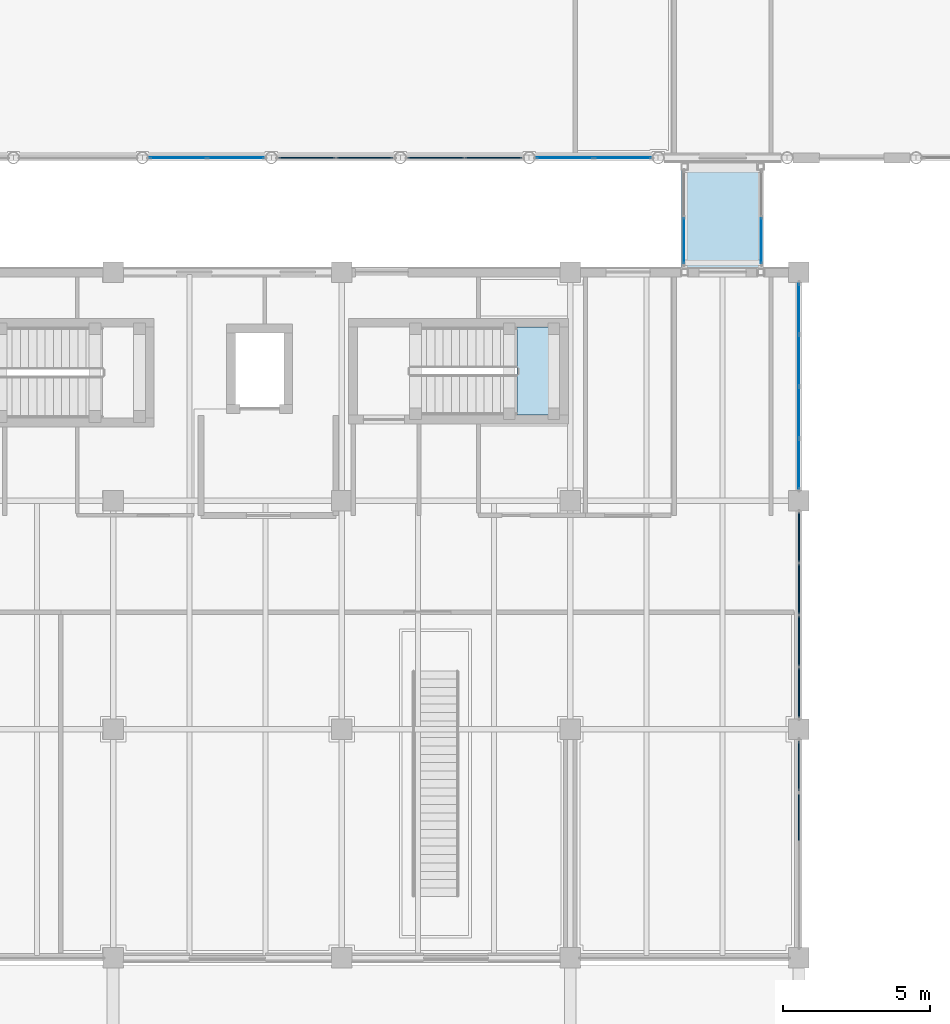
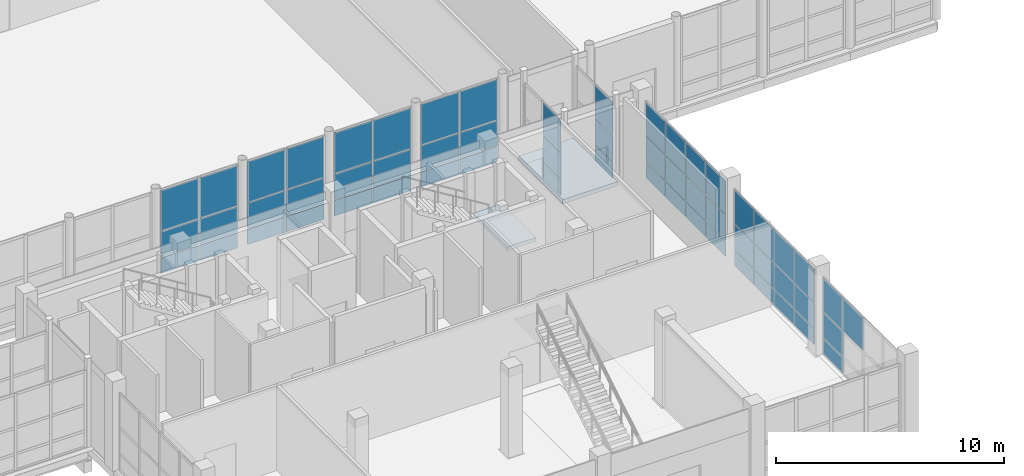
# One storey, part 74 of 131: 58 plates, 2 slabs, 10 elements without a shape of their own.
"""IFC4 building model written with IfcOpenShell, lengths in metres."""

import ifcopenshell
import ifcopenshell.guid

model = None  # the IFC model being written
_history = None  # IfcOwnerHistory: only IFC2X3 demands one
_inside = {}  # id of a spatial element -> (the spatial element, [elements in it])
_under = {}  # id of a project, library or spatial element -> (it, [spatial elements below it])
_declared = {}  # id of a project -> (the project, [libraries it declares])
_typed = {}  # id of a type object -> (the type object, [elements of that type])
_made_of = {}  # id of a material, layer set ... -> (it, [elements and type objects made of it])


def new_model(schema):
    """Start an empty IFC model of exactly this schema.

    Asked for "IFC4X3", IfcOpenShell would pick the latest addendum, in which some entities
    have other attributes; the version numbers below select the first issue.
    IFC2X3 requires an IfcOwnerHistory on every rooted entity: one is made here for all.
    """
    global model, _history
    if schema == "IFC4X3":
        model = ifcopenshell.file(schema_version=(4, 3, 0, 0))
    else:
        model = ifcopenshell.file(schema=schema)
    _inside.clear()
    _under.clear()
    _declared.clear()
    _typed.clear()
    _made_of.clear()
    _history = None
    if model.schema == "IFC2X3":
        org = make("IfcOrganization", Name="unknown")
        user = make(
            "IfcPersonAndOrganization",
            ThePerson=make("IfcPerson", FamilyName="unknown"),
            TheOrganization=org,
        )
        app = make(
            "IfcApplication",
            ApplicationDeveloper=org,
            Version="unknown",
            ApplicationFullName="unknown",
            ApplicationIdentifier="unknown",
        )
        _history = make(
            "IfcOwnerHistory",
            OwningUser=user,
            OwningApplication=app,
            ChangeAction="ADDED",
            CreationDate=0,
        )
    return model


def make(cls, **values):
    """One entity of the class cls with the attributes given. An attribute that is None is left unset."""
    return model.create_entity(
        cls, **{name: value for name, value in values.items() if value is not None}
    )


def rooted(cls, **values):
    """An entity with a GlobalId (a new one), such as an element, a storey or a relation."""
    return make(cls, GlobalId=ifcopenshell.guid.new(), OwnerHistory=_history, **values)


def si_unit(unit_type, name, prefix=None):
    """IfcSIUnit, for example si_unit("LENGTHUNIT", "METRE", prefix="MILLI")."""
    return make("IfcSIUnit", UnitType=unit_type, Prefix=prefix, Name=name)


def assignment(units):
    """IfcUnitAssignment: the units of a project."""
    return None if units is None else make("IfcUnitAssignment", Units=units)


def point(xyz):
    """IfcCartesianPoint."""
    return None if xyz is None else make("IfcCartesianPoint", Coordinates=xyz)


def direction(xyz):
    """IfcDirection."""
    return None if xyz is None else make("IfcDirection", DirectionRatios=xyz)


def frame(location, z_axis=None, x_axis=None):
    """IfcAxis2Placement3D, a coordinate frame: its origin and axes. An axis left out is left unset."""
    return make(
        "IfcAxis2Placement3D",
        Location=point(location),
        Axis=direction(z_axis),
        RefDirection=direction(x_axis),
    )


def frame_2d(location, x_axis=None):
    """IfcAxis2Placement2D, a coordinate frame in the plane: its origin and x axis."""
    return make(
        "IfcAxis2Placement2D", Location=point(location), RefDirection=direction(x_axis)
    )


def origin():
    """The frame at (0, 0, 0) with its axes left unset."""
    return frame((0.0, 0.0, 0.0))


def origin_2d():
    """The frame at (0, 0) in the plane with its x axis left unset."""
    return frame_2d((0.0, 0.0))


def place(relative_to, where):
    """IfcLocalPlacement: puts the frame where relative to a parent placement (None: the world)."""
    return make(
        "IfcLocalPlacement", PlacementRelTo=relative_to, RelativePlacement=where
    )


def context(
    kind, dimensions, precision=None, world=None, true_north=None, identifier=None
):
    """IfcGeometricRepresentationContext, for example the 3D "Model" context."""
    return make(
        "IfcGeometricRepresentationContext",
        ContextIdentifier=identifier,
        ContextType=kind,
        CoordinateSpaceDimension=dimensions,
        Precision=precision,
        WorldCoordinateSystem=world,
        TrueNorth=true_north,
    )


def subcontext(parent, identifier, kind, view, scale=None):
    """IfcGeometricRepresentationSubContext, for example "Body" below "Model"."""
    return make(
        "IfcGeometricRepresentationSubContext",
        ContextIdentifier=identifier,
        ContextType=kind,
        ParentContext=parent,
        TargetScale=scale,
        TargetView=view,
    )


def project(units=None, contexts=None):
    """IfcProject with its units and contexts."""
    return rooted(
        "IfcProject",
        Name="project",
        RepresentationContexts=contexts,
        UnitsInContext=assignment(units),
    )


def spatial(cls, under=None, at=None, **own):
    """A site, building, storey or space (cls), placed at a placement, below another one or the project."""
    s = rooted(cls, ObjectPlacement=at, **own)
    if under is not None:
        _under.setdefault(under.id(), (under, []))[1].append(s)
    return s


def polyline(points):
    """IfcPolyline through the points."""
    return make("IfcPolyline", Points=[point(p) for p in points])


def profile(cls, at=None, kind="AREA", **sizes):
    """A parametric profile (cls). Its sizes go by their IFC names, for example OverallWidth=200.0."""
    return make(cls, ProfileType=kind, Position=at, **sizes)


def rectangle(**sizes):
    """IfcRectangleProfileDef."""
    return profile("IfcRectangleProfileDef", **sizes)


def outline(outer, holes=None, kind="AREA"):
    """IfcArbitraryClosedProfileDef: a profile drawn as a closed curve; with holes, ...WithVoids."""
    if holes is None:
        return make("IfcArbitraryClosedProfileDef", ProfileType=kind, OuterCurve=outer)
    return make(
        "IfcArbitraryProfileDefWithVoids",
        ProfileType=kind,
        OuterCurve=outer,
        InnerCurves=holes,
    )


def extrude(swept, where, along, depth):
    """IfcExtrudedAreaSolid: the profile swept, set in the frame where, extruded along a direction by depth."""
    return make(
        "IfcExtrudedAreaSolid",
        SweptArea=swept,
        Position=where,
        ExtrudedDirection=direction(along),
        Depth=depth,
    )


def shape(context_of_items, identifier, shape_type, items):
    """IfcShapeRepresentation: the items that make up one representation, for example the "Body"."""
    return make(
        "IfcShapeRepresentation",
        ContextOfItems=context_of_items,
        RepresentationIdentifier=identifier,
        RepresentationType=shape_type,
        Items=items,
    )


def material(Name=None, Category=None):
    """IfcMaterial."""
    return make("IfcMaterial", Name=Name, Category=Category)


def layer(
    of_material, thickness, ventilated=None, Name=None, Category=None, Priority=None
):
    """IfcMaterialLayer: one layer of a wall or slab, of a material (None: an air gap)."""
    return make(
        "IfcMaterialLayer",
        Material=of_material,
        LayerThickness=thickness,
        IsVentilated=ventilated,
        Name=Name,
        Category=Category,
        Priority=Priority,
    )


def layer_set(layers, Name=None):
    """IfcMaterialLayerSet."""
    return make("IfcMaterialLayerSet", MaterialLayers=layers, LayerSetName=Name)


def made_of(thing, what):
    """Note that an element or type object is made of a material, layer set ...; save() writes the relation."""
    if what is not None:
        _made_of.setdefault(what.id(), (what, []))[1].append(thing)
    return thing


def type_object(cls, material=None, **own):
    """A type object (cls), such as IfcWallType, which elements share."""
    return made_of(rooted(cls, **own), material)


def element(
    cls,
    number,
    at=None,
    inside=None,
    cuts=None,
    type_object=None,
    material=None,
    context=None,
    identifier="Body",
    shape_type=None,
    held_by="IfcProductDefinitionShape",
    body=None,
    shapes=None,
    **own,
):
    """One element of the class cls, such as IfcWall. Its Tag is "e" and its number.

    at: its placement. inside: the storey or other place that contains it. cuts: it is an
    opening in that element (IfcRelVoidsElement). A single representation is given by context,
    identifier, shape_type and body (its items); several are given by shapes. held_by: the class
    of the entity that holds the representations. save() writes the other relations.
    """
    e = rooted(cls, Tag="e%d" % number, ObjectPlacement=at, **own)
    if body is not None:
        shapes = [shape(context, identifier, shape_type, body)]
    if shapes is not None:
        e.Representation = make(held_by, Representations=shapes)
    if inside is not None:
        _inside.setdefault(inside.id(), (inside, []))[1].append(e)
    if cuts is not None:
        rooted(
            "IfcRelVoidsElement", RelatingBuildingElement=cuts, RelatedOpeningElement=e
        )
    if type_object is not None:
        _typed.setdefault(type_object.id(), (type_object, []))[1].append(e)
    return made_of(e, material)


def aggregate(whole, parts):
    """IfcRelAggregates: a whole, such as a stair, and the parts it consists of."""
    return rooted("IfcRelAggregates", RelatingObject=whole, RelatedObjects=parts)


def save(model, path):
    """Write the relations noted so far, then the file.

    IfcRelAggregates (storeys below a building ...), IfcRelContainedInSpatialStructure (elements
    in a storey), IfcRelDefinesByType, IfcRelAssociatesMaterial and IfcRelDeclares: one each for
    every whole, place, type object, material and project.
    """
    for whole, parts in _under.values():
        aggregate(whole, parts)
    for where, things in _inside.values():
        rooted(
            "IfcRelContainedInSpatialStructure",
            RelatedElements=things,
            RelatingStructure=where,
        )
    for kind, things in _typed.values():
        rooted("IfcRelDefinesByType", RelatedObjects=things, RelatingType=kind)
    for what, things in _made_of.values():
        rooted("IfcRelAssociatesMaterial", RelatedObjects=things, RelatingMaterial=what)
    for by, libraries in _declared.values():
        rooted("IfcRelDeclares", RelatingContext=by, RelatedDefinitions=libraries)
    model.write(path)


model = new_model("IFC4")

# Units and contexts
model_context = context("Model", 3, precision=1e-05, world=origin(), true_north=direction((0.0, 1.0)))
body_context = subcontext(model_context, "Body", "Model", "MODEL_VIEW")
ifc_project = project(units=[si_unit("LENGTHUNIT", "METRE"), si_unit("AREAUNIT", "SQUARE_METRE"), si_unit("VOLUMEUNIT", "CUBIC_METRE"), si_unit("PLANEANGLEUNIT", "RADIAN"), si_unit("MASSUNIT", "GRAM", prefix="KILO")], contexts=[model_context])

# Site, building, storey
site_placement = place(None, origin())
site = spatial("IfcSite", under=ifc_project, at=site_placement, CompositionType="ELEMENT")
building_placement = place(site_placement, origin())
building = spatial("IfcBuilding", under=site, at=building_placement, Name="Celorna Specialist Clinic", CompositionType="ELEMENT")
storey_placement = place(building_placement, origin())
storey = spatial("IfcBuildingStorey", under=building, at=storey_placement, Name="L00", CompositionType="ELEMENT", Elevation=0.0)

# Curtain wall, plates
ifc_material_1 = material(Name="Thermally broken aluminium and solar-control glass curtain wall", Category="aluminium")
ifc_layer_1 = layer(ifc_material_1, 0.159912109375, Name="Thermally broken aluminium and solar-control glass curtain wall")
ifc_layer_set_1 = layer_set([ifc_layer_1], Name="Thermally broken aluminium and solar-control glass curtain wall")
curtain_wall_type_1 = type_object("IfcCurtainWallType", Name="CW-03", PredefinedType="NOTDEFINED", material=ifc_layer_set_1)
curtain_wall_1_placement = place(storey_placement, origin())
curtain_wall_1 = element("IfcCurtainWall", 1, at=curtain_wall_1_placement, inside=storey, type_object=curtain_wall_type_1, Name="Curtain wall CW-03 #3", PredefinedType="NOTDEFINED")
ifc_material_2 = material(Name="Low-e double glazing", Category="glass")
ifc_layer_2 = layer(ifc_material_2, 0.028076171875, Name="Low-e double glazing")
ifc_layer_set_2 = layer_set([ifc_layer_2], Name="Low-e double glazing")
plate_type_1 = type_object("IfcPlateType", Name="CPN-01", PredefinedType="CURTAIN_PANEL", material=ifc_layer_set_2)
plate_1_placement = place(storey_placement, frame((66.583984375, 46.800048828125, 0.0498046875), z_axis=(0.0, 0.0, 1.0), x_axis=(-1.0, 0.0, 0.0)))
plate_1 = element("IfcPlate", 2, at=plate_1_placement, type_object=plate_type_1, Name="CW-03 panel 1.1", PredefinedType="CURTAIN_PANEL", context=body_context, shape_type="SweptSolid", body=[
    extrude(rectangle(XDim=1.917724609375, YDim=0.028076171875, at=origin_2d()), origin(), (0.0, 0.0, 1.0), 0.824951171875),
])
plate_2_placement = place(storey_placement, frame((66.583984375, 46.800048828125, 0.925048828125), z_axis=(0.0, 0.0, 1.0), x_axis=(-1.0, 0.0, 0.0)))
plate_2 = element("IfcPlate", 3, at=plate_2_placement, type_object=plate_type_1, Name="CW-03 panel 1.2", PredefinedType="CURTAIN_PANEL", context=body_context, shape_type="SweptSolid", body=[
    extrude(rectangle(XDim=1.917724609375, YDim=0.028076171875, at=origin_2d()), origin(), (0.0, 0.0, 1.0), 1.35009765625),
])
plate_3_placement = place(storey_placement, frame((66.583984375, 46.800048828125, 2.324951171875), z_axis=(0.0, 0.0, 1.0), x_axis=(-1.0, 0.0, 0.0)))
plate_3 = element("IfcPlate", 4, at=plate_3_placement, type_object=plate_type_1, Name="CW-03 panel 1.3", PredefinedType="CURTAIN_PANEL", context=body_context, shape_type="SweptSolid", body=[
    extrude(rectangle(XDim=1.917724609375, YDim=0.028076171875, at=origin_2d()), origin(), (0.0, 0.0, 1.0), 2.1650390625),
])
plate_4_placement = place(storey_placement, frame((64.6162109375, 46.800048828125, 0.0498046875), z_axis=(0.0, 0.0, 1.0), x_axis=(-1.0, 0.0, 0.0)))
plate_4 = element("IfcPlate", 5, at=plate_4_placement, type_object=plate_type_1, Name="CW-03 panel 2.1", PredefinedType="CURTAIN_PANEL", context=body_context, shape_type="SweptSolid", body=[
    extrude(rectangle(XDim=1.917724609375, YDim=0.028076171875, at=origin_2d()), origin(), (0.0, 0.0, 1.0), 0.824951171875),
])
plate_5_placement = place(storey_placement, frame((64.6162109375, 46.800048828125, 0.925048828125), z_axis=(0.0, 0.0, 1.0), x_axis=(-1.0, 0.0, 0.0)))
plate_5 = element("IfcPlate", 6, at=plate_5_placement, type_object=plate_type_1, Name="CW-03 panel 2.2", PredefinedType="CURTAIN_PANEL", context=body_context, shape_type="SweptSolid", body=[
    extrude(rectangle(XDim=1.917724609375, YDim=0.028076171875, at=origin_2d()), origin(), (0.0, 0.0, 1.0), 1.35009765625),
])
plate_6_placement = place(storey_placement, frame((64.6162109375, 46.800048828125, 2.324951171875), z_axis=(0.0, 0.0, 1.0), x_axis=(-1.0, 0.0, 0.0)))
plate_6 = element("IfcPlate", 7, at=plate_6_placement, type_object=plate_type_1, Name="CW-03 panel 2.3", PredefinedType="CURTAIN_PANEL", context=body_context, shape_type="SweptSolid", body=[
    extrude(rectangle(XDim=1.917724609375, YDim=0.028076171875, at=origin_2d()), origin(), (0.0, 0.0, 1.0), 2.1650390625),
])
aggregate(curtain_wall_1, [plate_1, plate_2, plate_3, plate_4, plate_5, plate_6])

curtain_wall_2_placement = place(storey_placement, origin())
curtain_wall_2 = element("IfcCurtainWall", 8, at=curtain_wall_2_placement, inside=storey, type_object=curtain_wall_type_1, Name="Curtain wall CW-03 #6", PredefinedType="NOTDEFINED")
plate_7_placement = place(storey_placement, frame((79.783935546875, 46.800048828125, 0.0498046875), z_axis=(0.0, 0.0, 1.0), x_axis=(-1.0, 0.0, 0.0)))
plate_7 = element("IfcPlate", 9, at=plate_7_placement, type_object=plate_type_1, Name="CW-03 panel 1.1", PredefinedType="CURTAIN_PANEL", context=body_context, shape_type="SweptSolid", body=[
    extrude(rectangle(XDim=1.917724609375, YDim=0.028076171875, at=origin_2d()), origin(), (0.0, 0.0, 1.0), 0.824951171875),
])
plate_8_placement = place(storey_placement, frame((79.783935546875, 46.800048828125, 0.925048828125), z_axis=(0.0, 0.0, 1.0), x_axis=(-1.0, 0.0, 0.0)))
plate_8 = element("IfcPlate", 10, at=plate_8_placement, type_object=plate_type_1, Name="CW-03 panel 1.2", PredefinedType="CURTAIN_PANEL", context=body_context, shape_type="SweptSolid", body=[
    extrude(rectangle(XDim=1.917724609375, YDim=0.028076171875, at=origin_2d()), origin(), (0.0, 0.0, 1.0), 1.35009765625),
])
plate_9_placement = place(storey_placement, frame((79.783935546875, 46.800048828125, 2.324951171875), z_axis=(0.0, 0.0, 1.0), x_axis=(-1.0, 0.0, 0.0)))
plate_9 = element("IfcPlate", 11, at=plate_9_placement, type_object=plate_type_1, Name="CW-03 panel 1.3", PredefinedType="CURTAIN_PANEL", context=body_context, shape_type="SweptSolid", body=[
    extrude(rectangle(XDim=1.917724609375, YDim=0.028076171875, at=origin_2d()), origin(), (0.0, 0.0, 1.0), 2.1650390625),
])
plate_10_placement = place(storey_placement, frame((77.816162109375, 46.800048828125, 0.0498046875), z_axis=(0.0, 0.0, 1.0), x_axis=(-1.0, 0.0, 0.0)))
plate_10 = element("IfcPlate", 12, at=plate_10_placement, type_object=plate_type_1, Name="CW-03 panel 2.1", PredefinedType="CURTAIN_PANEL", context=body_context, shape_type="SweptSolid", body=[
    extrude(rectangle(XDim=1.917724609375, YDim=0.028076171875, at=origin_2d()), origin(), (0.0, 0.0, 1.0), 0.824951171875),
])
plate_11_placement = place(storey_placement, frame((77.816162109375, 46.800048828125, 0.925048828125), z_axis=(0.0, 0.0, 1.0), x_axis=(-1.0, 0.0, 0.0)))
plate_11 = element("IfcPlate", 13, at=plate_11_placement, type_object=plate_type_1, Name="CW-03 panel 2.2", PredefinedType="CURTAIN_PANEL", context=body_context, shape_type="SweptSolid", body=[
    extrude(rectangle(XDim=1.917724609375, YDim=0.028076171875, at=origin_2d()), origin(), (0.0, 0.0, 1.0), 1.35009765625),
])
plate_12_placement = place(storey_placement, frame((77.816162109375, 46.800048828125, 2.324951171875), z_axis=(0.0, 0.0, 1.0), x_axis=(-1.0, 0.0, 0.0)))
plate_12 = element("IfcPlate", 14, at=plate_12_placement, type_object=plate_type_1, Name="CW-03 panel 2.3", PredefinedType="CURTAIN_PANEL", context=body_context, shape_type="SweptSolid", body=[
    extrude(rectangle(XDim=1.917724609375, YDim=0.028076171875, at=origin_2d()), origin(), (0.0, 0.0, 1.0), 2.1650390625),
])
aggregate(curtain_wall_2, [plate_7, plate_8, plate_9, plate_10, plate_11, plate_12])

ifc_layer_3 = layer(ifc_material_1, 0.159912109375, Name="Thermally broken aluminium and solar-control glass curtain wall")
ifc_layer_set_3 = layer_set([ifc_layer_3], Name="Thermally broken aluminium and solar-control glass curtain wall")
curtain_wall_type_2 = type_object("IfcCurtainWallType", Name="CW-104", PredefinedType="NOTDEFINED", material=ifc_layer_set_3)
curtain_wall_3_placement = place(storey_placement, origin())
curtain_wall_3 = element("IfcCurtainWall", 15, at=curtain_wall_3_placement, inside=storey, type_object=curtain_wall_type_2, Name="Curtain wall CW-104 #185", PredefinedType="NOTDEFINED")
plate_13_placement = place(storey_placement, frame((85.800048828125, 41.64697265625, 0.0498046875), z_axis=(0.0, 0.0, 1.0), x_axis=(0.0, -1.0, 0.0)))
plate_13 = element("IfcPlate", 16, at=plate_13_placement, type_object=plate_type_1, Name="CW-104 panel 1.1", PredefinedType="CURTAIN_PANEL", context=body_context, shape_type="SweptSolid", body=[
    extrude(rectangle(XDim=1.697998046875, YDim=0.028076171875, at=origin_2d()), origin(), (0.0, 0.0, 1.0), 0.824951171875),
])
plate_14_placement = place(storey_placement, frame((85.800048828125, 41.64697265625, 0.925048828125), z_axis=(0.0, 0.0, 1.0), x_axis=(0.0, -1.0, 0.0)))
plate_14 = element("IfcPlate", 17, at=plate_14_placement, type_object=plate_type_1, Name="CW-104 panel 1.2", PredefinedType="CURTAIN_PANEL", context=body_context, shape_type="SweptSolid", body=[
    extrude(rectangle(XDim=1.697998046875, YDim=0.028076171875, at=origin_2d()), origin(), (0.0, 0.0, 1.0), 1.35009765625),
])
plate_15_placement = place(storey_placement, frame((85.800048828125, 41.64697265625, 2.3251953125), z_axis=(0.0, 0.0, 1.0), x_axis=(0.0, -1.0, 0.0)))
plate_15 = element("IfcPlate", 18, at=plate_15_placement, type_object=plate_type_1, Name="CW-104 panel 1.3", PredefinedType="CURTAIN_PANEL", context=body_context, shape_type="SweptSolid", body=[
    extrude(rectangle(XDim=1.697998046875, YDim=0.028076171875, at=origin_2d()), origin(), (0.0, 0.0, 1.0), 1.764892578125),
])
plate_16_placement = place(storey_placement, frame((85.800048828125, 39.886474609375, 0.0498046875), z_axis=(0.0, 0.0, 1.0), x_axis=(0.0, -1.0, 0.0)))
plate_16 = element("IfcPlate", 19, at=plate_16_placement, type_object=plate_type_1, Name="CW-104 panel 2.1", PredefinedType="CURTAIN_PANEL", context=body_context, shape_type="SweptSolid", body=[
    extrude(rectangle(XDim=1.722900390625, YDim=0.028076171875, at=origin_2d()), origin(), (0.0, 0.0, 1.0), 0.824951171875),
])
plate_17_placement = place(storey_placement, frame((85.800048828125, 39.886474609375, 0.925048828125), z_axis=(0.0, 0.0, 1.0), x_axis=(0.0, -1.0, 0.0)))
plate_17 = element("IfcPlate", 20, at=plate_17_placement, type_object=plate_type_1, Name="CW-104 panel 2.2", PredefinedType="CURTAIN_PANEL", context=body_context, shape_type="SweptSolid", body=[
    extrude(rectangle(XDim=1.722900390625, YDim=0.028076171875, at=origin_2d()), origin(), (0.0, 0.0, 1.0), 1.35009765625),
])
plate_18_placement = place(storey_placement, frame((85.800048828125, 39.886474609375, 2.3251953125), z_axis=(0.0, 0.0, 1.0), x_axis=(0.0, -1.0, 0.0)))
plate_18 = element("IfcPlate", 21, at=plate_18_placement, type_object=plate_type_1, Name="CW-104 panel 2.3", PredefinedType="CURTAIN_PANEL", context=body_context, shape_type="SweptSolid", body=[
    extrude(rectangle(XDim=1.722900390625, YDim=0.028076171875, at=origin_2d()), origin(), (0.0, 0.0, 1.0), 1.764892578125),
])
plate_19_placement = place(storey_placement, frame((85.800048828125, 38.113525390625, 0.0498046875), z_axis=(0.0, 0.0, 1.0), x_axis=(0.0, -1.0, 0.0)))
plate_19 = element("IfcPlate", 22, at=plate_19_placement, type_object=plate_type_1, Name="CW-104 panel 3.1", PredefinedType="CURTAIN_PANEL", context=body_context, shape_type="SweptSolid", body=[
    extrude(rectangle(XDim=1.722900390625, YDim=0.028076171875, at=origin_2d()), origin(), (0.0, 0.0, 1.0), 0.824951171875),
])
plate_20_placement = place(storey_placement, frame((85.800048828125, 38.113525390625, 0.925048828125), z_axis=(0.0, 0.0, 1.0), x_axis=(0.0, -1.0, 0.0)))
plate_20 = element("IfcPlate", 23, at=plate_20_placement, type_object=plate_type_1, Name="CW-104 panel 3.2", PredefinedType="CURTAIN_PANEL", context=body_context, shape_type="SweptSolid", body=[
    extrude(rectangle(XDim=1.722900390625, YDim=0.028076171875, at=origin_2d()), origin(), (0.0, 0.0, 1.0), 1.35009765625),
])
plate_21_placement = place(storey_placement, frame((85.800048828125, 38.113525390625, 2.3251953125), z_axis=(0.0, 0.0, 1.0), x_axis=(0.0, -1.0, 0.0)))
plate_21 = element("IfcPlate", 24, at=plate_21_placement, type_object=plate_type_1, Name="CW-104 panel 3.3", PredefinedType="CURTAIN_PANEL", context=body_context, shape_type="SweptSolid", body=[
    extrude(rectangle(XDim=1.722900390625, YDim=0.028076171875, at=origin_2d()), origin(), (0.0, 0.0, 1.0), 1.764892578125),
])
plate_22_placement = place(storey_placement, frame((85.800048828125, 36.35302734375, 0.0498046875), z_axis=(0.0, 0.0, 1.0), x_axis=(0.0, -1.0, 0.0)))
plate_22 = element("IfcPlate", 25, at=plate_22_placement, type_object=plate_type_1, Name="CW-104 panel 4.1", PredefinedType="CURTAIN_PANEL", context=body_context, shape_type="SweptSolid", body=[
    extrude(rectangle(XDim=1.697998046875, YDim=0.028076171875, at=origin_2d()), origin(), (0.0, 0.0, 1.0), 0.824951171875),
])
plate_23_placement = place(storey_placement, frame((85.800048828125, 36.35302734375, 0.925048828125), z_axis=(0.0, 0.0, 1.0), x_axis=(0.0, -1.0, 0.0)))
plate_23 = element("IfcPlate", 26, at=plate_23_placement, type_object=plate_type_1, Name="CW-104 panel 4.2", PredefinedType="CURTAIN_PANEL", context=body_context, shape_type="SweptSolid", body=[
    extrude(rectangle(XDim=1.697998046875, YDim=0.028076171875, at=origin_2d()), origin(), (0.0, 0.0, 1.0), 1.35009765625),
])
plate_24_placement = place(storey_placement, frame((85.800048828125, 36.35302734375, 2.3251953125), z_axis=(0.0, 0.0, 1.0), x_axis=(0.0, -1.0, 0.0)))
plate_24 = element("IfcPlate", 27, at=plate_24_placement, type_object=plate_type_1, Name="CW-104 panel 4.3", PredefinedType="CURTAIN_PANEL", context=body_context, shape_type="SweptSolid", body=[
    extrude(rectangle(XDim=1.697998046875, YDim=0.028076171875, at=origin_2d()), origin(), (0.0, 0.0, 1.0), 1.764892578125),
])
aggregate(curtain_wall_3, [plate_13, plate_14, plate_15, plate_16, plate_17, plate_18, plate_19, plate_20, plate_21, plate_22, plate_23, plate_24])

ifc_layer_4 = layer(ifc_material_1, 0.159912109375, Name="Thermally broken aluminium and solar-control glass curtain wall")
ifc_layer_set_4 = layer_set([ifc_layer_4], Name="Thermally broken aluminium and solar-control glass curtain wall")
curtain_wall_type_3 = type_object("IfcCurtainWallType", Name="CW-112", PredefinedType="NOTDEFINED", material=ifc_layer_set_4)
curtain_wall_4_placement = place(storey_placement, origin())
curtain_wall_4 = element("IfcCurtainWall", 28, at=curtain_wall_4_placement, inside=storey, type_object=curtain_wall_type_3, Name="Curtain wall CW-112 #204", PredefinedType="NOTDEFINED")
plate_25_placement = place(storey_placement, frame((81.8798828125, 43.969970703125, 0.0498046875), z_axis=(0.0, 0.0, 1.0), x_axis=(0.0, 1.0, 0.0)))
plate_25 = element("IfcPlate", 29, at=plate_25_placement, type_object=plate_type_1, Name="CW-112 panel 1.1", PredefinedType="CURTAIN_PANEL", context=body_context, shape_type="SweptSolid", body=[
    extrude(rectangle(XDim=1.5400390625, YDim=0.028076171875, at=origin_2d()), origin(), (0.0, 0.0, 1.0), 0.824951171875),
])
plate_26_placement = place(storey_placement, frame((81.8798828125, 43.969970703125, 0.925048828125), z_axis=(0.0, 0.0, 1.0), x_axis=(0.0, 1.0, 0.0)))
plate_26 = element("IfcPlate", 30, at=plate_26_placement, type_object=plate_type_1, Name="CW-112 panel 1.2", PredefinedType="CURTAIN_PANEL", context=body_context, shape_type="SweptSolid", body=[
    extrude(rectangle(XDim=1.5400390625, YDim=0.028076171875, at=origin_2d()), origin(), (0.0, 0.0, 1.0), 1.35009765625),
])
plate_27_placement = place(storey_placement, frame((81.8798828125, 43.969970703125, 2.324951171875), z_axis=(0.0, 0.0, 1.0), x_axis=(0.0, 1.0, 0.0)))
plate_27 = element("IfcPlate", 31, at=plate_27_placement, type_object=plate_type_1, Name="CW-112 panel 1.3", PredefinedType="CURTAIN_PANEL", context=body_context, shape_type="SweptSolid", body=[
    extrude(rectangle(XDim=1.5400390625, YDim=0.028076171875, at=origin_2d()), origin(), (0.0, 0.0, 1.0), 1.7548828125),
])
aggregate(curtain_wall_4, [plate_25, plate_26, plate_27])

curtain_wall_5_placement = place(storey_placement, origin())
curtain_wall_5 = element("IfcCurtainWall", 32, at=curtain_wall_5_placement, inside=storey, type_object=curtain_wall_type_3, Name="Curtain wall CW-112 #205", PredefinedType="NOTDEFINED")
plate_28_placement = place(storey_placement, frame((84.52001953125, 43.969970703125, 0.0498046875), z_axis=(0.0, 0.0, 1.0), x_axis=(0.0, -1.0, 0.0)))
plate_28 = element("IfcPlate", 33, at=plate_28_placement, type_object=plate_type_1, Name="CW-112 panel 2.1", PredefinedType="CURTAIN_PANEL", context=body_context, shape_type="SweptSolid", body=[
    extrude(rectangle(XDim=1.5400390625, YDim=0.028076171875, at=origin_2d()), origin(), (0.0, 0.0, 1.0), 0.824951171875),
])
plate_29_placement = place(storey_placement, frame((84.52001953125, 43.969970703125, 0.925048828125), z_axis=(0.0, 0.0, 1.0), x_axis=(0.0, -1.0, 0.0)))
plate_29 = element("IfcPlate", 34, at=plate_29_placement, type_object=plate_type_1, Name="CW-112 panel 2.2", PredefinedType="CURTAIN_PANEL", context=body_context, shape_type="SweptSolid", body=[
    extrude(rectangle(XDim=1.5400390625, YDim=0.028076171875, at=origin_2d()), origin(), (0.0, 0.0, 1.0), 1.35009765625),
])
plate_30_placement = place(storey_placement, frame((84.52001953125, 43.969970703125, 2.324951171875), z_axis=(0.0, 0.0, 1.0), x_axis=(0.0, -1.0, 0.0)))
plate_30 = element("IfcPlate", 35, at=plate_30_placement, type_object=plate_type_1, Name="CW-112 panel 2.3", PredefinedType="CURTAIN_PANEL", context=body_context, shape_type="SweptSolid", body=[
    extrude(rectangle(XDim=1.5400390625, YDim=0.028076171875, at=origin_2d()), origin(), (0.0, 0.0, 1.0), 1.7548828125),
])
aggregate(curtain_wall_5, [plate_28, plate_29, plate_30])

ifc_layer_5 = layer(ifc_material_1, 0.159912109375, Name="Thermally broken aluminium and solar-control glass curtain wall")
ifc_layer_set_5 = layer_set([ifc_layer_5], Name="Thermally broken aluminium and solar-control glass curtain wall")
curtain_wall_type_4 = type_object("IfcCurtainWallType", Name="CW-01", PredefinedType="NOTDEFINED", material=ifc_layer_set_5)
curtain_wall_6_placement = place(storey_placement, origin())
curtain_wall_6 = element("IfcCurtainWall", 36, at=curtain_wall_6_placement, inside=storey, type_object=curtain_wall_type_4, Name="Curtain wall CW-01 #4", PredefinedType="NOTDEFINED")
ifc_material_3 = material(Name="Solar-control triple glazing", Category="glass")
ifc_layer_6 = layer(ifc_material_3, 0.035888671875, Name="Solar-control triple glazing")
ifc_layer_set_6 = layer_set([ifc_layer_6], Name="Solar-control triple glazing")
plate_type_2 = type_object("IfcPlateType", Name="CPN-02", PredefinedType="CURTAIN_PANEL", material=ifc_layer_set_6)
plate_31_placement = place(storey_placement, frame((70.98388671875, 46.800048828125, 0.0498046875), z_axis=(0.0, 0.0, 1.0), x_axis=(-1.0, 0.0, 0.0)))
plate_31 = element("IfcPlate", 37, at=plate_31_placement, type_object=plate_type_2, Name="CW-01 panel 1.1", PredefinedType="CURTAIN_PANEL", context=body_context, shape_type="SweptSolid", body=[
    extrude(rectangle(XDim=1.917724609375, YDim=0.035888671875, at=origin_2d()), origin(), (0.0, 0.0, 1.0), 0.824951171875),
])
plate_32_placement = place(storey_placement, frame((70.98388671875, 46.800048828125, 0.925048828125), z_axis=(0.0, 0.0, 1.0), x_axis=(-1.0, 0.0, 0.0)))
plate_32 = element("IfcPlate", 38, at=plate_32_placement, type_object=plate_type_2, Name="CW-01 panel 1.2", PredefinedType="CURTAIN_PANEL", context=body_context, shape_type="SweptSolid", body=[
    extrude(rectangle(XDim=1.917724609375, YDim=0.035888671875, at=origin_2d()), origin(), (0.0, 0.0, 1.0), 1.35009765625),
])
plate_33_placement = place(storey_placement, frame((70.98388671875, 46.800048828125, 2.324951171875), z_axis=(0.0, 0.0, 1.0), x_axis=(-1.0, 0.0, 0.0)))
plate_33 = element("IfcPlate", 39, at=plate_33_placement, type_object=plate_type_2, Name="CW-01 panel 1.3", PredefinedType="CURTAIN_PANEL", context=body_context, shape_type="SweptSolid", body=[
    extrude(rectangle(XDim=1.917724609375, YDim=0.035888671875, at=origin_2d()), origin(), (0.0, 0.0, 1.0), 2.1650390625),
])
plate_34_placement = place(storey_placement, frame((69.01611328125, 46.800048828125, 0.0498046875), z_axis=(0.0, 0.0, 1.0), x_axis=(-1.0, 0.0, 0.0)))
plate_34 = element("IfcPlate", 40, at=plate_34_placement, type_object=plate_type_2, Name="CW-01 panel 2.1", PredefinedType="CURTAIN_PANEL", context=body_context, shape_type="SweptSolid", body=[
    extrude(rectangle(XDim=1.917724609375, YDim=0.035888671875, at=origin_2d()), origin(), (0.0, 0.0, 1.0), 0.824951171875),
])
plate_35_placement = place(storey_placement, frame((69.01611328125, 46.800048828125, 0.925048828125), z_axis=(0.0, 0.0, 1.0), x_axis=(-1.0, 0.0, 0.0)))
plate_35 = element("IfcPlate", 41, at=plate_35_placement, type_object=plate_type_2, Name="CW-01 panel 2.2", PredefinedType="CURTAIN_PANEL", context=body_context, shape_type="SweptSolid", body=[
    extrude(rectangle(XDim=1.917724609375, YDim=0.035888671875, at=origin_2d()), origin(), (0.0, 0.0, 1.0), 1.35009765625),
])
plate_36_placement = place(storey_placement, frame((69.01611328125, 46.800048828125, 2.324951171875), z_axis=(0.0, 0.0, 1.0), x_axis=(-1.0, 0.0, 0.0)))
plate_36 = element("IfcPlate", 42, at=plate_36_placement, type_object=plate_type_2, Name="CW-01 panel 2.3", PredefinedType="CURTAIN_PANEL", context=body_context, shape_type="SweptSolid", body=[
    extrude(rectangle(XDim=1.917724609375, YDim=0.035888671875, at=origin_2d()), origin(), (0.0, 0.0, 1.0), 2.1650390625),
])
aggregate(curtain_wall_6, [plate_31, plate_32, plate_33, plate_34, plate_35, plate_36])

ifc_layer_7 = layer(ifc_material_1, 0.159912109375, Name="Thermally broken aluminium and solar-control glass curtain wall")
ifc_layer_set_7 = layer_set([ifc_layer_7], Name="Thermally broken aluminium and solar-control glass curtain wall")
curtain_wall_type_5 = type_object("IfcCurtainWallType", Name="CW-102", PredefinedType="NOTDEFINED", material=ifc_layer_set_7)
curtain_wall_7_placement = place(storey_placement, origin())
curtain_wall_7 = element("IfcCurtainWall", 43, at=curtain_wall_7_placement, inside=storey, type_object=curtain_wall_type_5, Name="Curtain wall CW-102 #183", PredefinedType="NOTDEFINED")
plate_37_placement = place(storey_placement, frame((85.800048828125, 26.047119140625, 0.0498046875), z_axis=(0.0, 0.0, 1.0), x_axis=(0.0, -1.0, 0.0)))
plate_37 = element("IfcPlate", 44, at=plate_37_placement, type_object=plate_type_2, Name="CW-102 panel 1.1", PredefinedType="CURTAIN_PANEL", context=body_context, shape_type="SweptSolid", body=[
    extrude(rectangle(XDim=1.697998046875, YDim=0.035888671875, at=origin_2d()), origin(), (0.0, 0.0, 1.0), 0.824951171875),
])
plate_38_placement = place(storey_placement, frame((85.800048828125, 26.047119140625, 0.925048828125), z_axis=(0.0, 0.0, 1.0), x_axis=(0.0, -1.0, 0.0)))
plate_38 = element("IfcPlate", 45, at=plate_38_placement, type_object=plate_type_2, Name="CW-102 panel 1.2", PredefinedType="CURTAIN_PANEL", context=body_context, shape_type="SweptSolid", body=[
    extrude(rectangle(XDim=1.697998046875, YDim=0.035888671875, at=origin_2d()), origin(), (0.0, 0.0, 1.0), 1.35009765625),
])
plate_39_placement = place(storey_placement, frame((85.800048828125, 26.047119140625, 2.3251953125), z_axis=(0.0, 0.0, 1.0), x_axis=(0.0, -1.0, 0.0)))
plate_39 = element("IfcPlate", 46, at=plate_39_placement, type_object=plate_type_2, Name="CW-102 panel 1.3", PredefinedType="CURTAIN_PANEL", context=body_context, shape_type="SweptSolid", body=[
    extrude(rectangle(XDim=1.697998046875, YDim=0.035888671875, at=origin_2d()), origin(), (0.0, 0.0, 1.0), 1.764892578125),
])
plate_40_placement = place(storey_placement, frame((85.800048828125, 24.28662109375, 2.3251953125), z_axis=(0.0, 0.0, 1.0), x_axis=(0.0, -1.0, 0.0)))
plate_40 = element("IfcPlate", 47, at=plate_40_placement, type_object=plate_type_2, Name="CW-102 panel 2.3", PredefinedType="CURTAIN_PANEL", context=body_context, shape_type="SweptSolid", body=[
    extrude(rectangle(XDim=1.722900390625, YDim=0.035888671875, at=origin_2d()), origin(), (0.0, 0.0, 1.0), 1.764892578125),
])
aggregate(curtain_wall_7, [plate_37, plate_38, plate_39, plate_40])

ifc_layer_8 = layer(ifc_material_1, 0.159912109375, Name="Thermally broken aluminium and solar-control glass curtain wall")
ifc_layer_set_8 = layer_set([ifc_layer_8], Name="Thermally broken aluminium and solar-control glass curtain wall")
curtain_wall_type_6 = type_object("IfcCurtainWallType", Name="CW-02", PredefinedType="NOTDEFINED", material=ifc_layer_set_8)
curtain_wall_8_placement = place(storey_placement, origin())
curtain_wall_8 = element("IfcCurtainWall", 48, at=curtain_wall_8_placement, inside=storey, type_object=curtain_wall_type_6, Name="Curtain wall CW-02 #5", PredefinedType="NOTDEFINED")
ifc_material_4 = material(Name="Glazed polychrome ceramic insulated spandrel")
ifc_layer_9 = layer(ifc_material_4, 0.0439453125, Name="Glazed polychrome ceramic insulated spandrel")
ifc_layer_set_9 = layer_set([ifc_layer_9], Name="Glazed polychrome ceramic insulated spandrel")
plate_type_3 = type_object("IfcPlateType", Name="CPN-03", PredefinedType="CURTAIN_PANEL", material=ifc_layer_set_9)
plate_41_placement = place(storey_placement, frame((75.3837890625, 46.800048828125, 0.0498046875), z_axis=(0.0, 0.0, 1.0), x_axis=(-1.0, 0.0, 0.0)))
plate_41 = element("IfcPlate", 49, at=plate_41_placement, type_object=plate_type_3, Name="CW-02 panel 1.1", PredefinedType="CURTAIN_PANEL", context=body_context, shape_type="SweptSolid", body=[
    extrude(rectangle(XDim=1.917724609375, YDim=0.0439453125, at=origin_2d()), origin(), (0.0, 0.0, 1.0), 0.824951171875),
])
plate_42_placement = place(storey_placement, frame((75.3837890625, 46.800048828125, 0.925048828125), z_axis=(0.0, 0.0, 1.0), x_axis=(-1.0, 0.0, 0.0)))
plate_42 = element("IfcPlate", 50, at=plate_42_placement, type_object=plate_type_3, Name="CW-02 panel 1.2", PredefinedType="CURTAIN_PANEL", context=body_context, shape_type="SweptSolid", body=[
    extrude(rectangle(XDim=1.917724609375, YDim=0.0439453125, at=origin_2d()), origin(), (0.0, 0.0, 1.0), 1.35009765625),
])
plate_43_placement = place(storey_placement, frame((75.3837890625, 46.800048828125, 2.324951171875), z_axis=(0.0, 0.0, 1.0), x_axis=(-1.0, 0.0, 0.0)))
plate_43 = element("IfcPlate", 51, at=plate_43_placement, type_object=plate_type_3, Name="CW-02 panel 1.3", PredefinedType="CURTAIN_PANEL", context=body_context, shape_type="SweptSolid", body=[
    extrude(rectangle(XDim=1.917724609375, YDim=0.0439453125, at=origin_2d()), origin(), (0.0, 0.0, 1.0), 2.1650390625),
])
plate_44_placement = place(storey_placement, frame((73.416015625, 46.800048828125, 0.0498046875), z_axis=(0.0, 0.0, 1.0), x_axis=(-1.0, 0.0, 0.0)))
plate_44 = element("IfcPlate", 52, at=plate_44_placement, type_object=plate_type_3, Name="CW-02 panel 2.1", PredefinedType="CURTAIN_PANEL", context=body_context, shape_type="SweptSolid", body=[
    extrude(rectangle(XDim=1.917724609375, YDim=0.0439453125, at=origin_2d()), origin(), (0.0, 0.0, 1.0), 0.824951171875),
])
plate_45_placement = place(storey_placement, frame((73.416015625, 46.800048828125, 0.925048828125), z_axis=(0.0, 0.0, 1.0), x_axis=(-1.0, 0.0, 0.0)))
plate_45 = element("IfcPlate", 53, at=plate_45_placement, type_object=plate_type_3, Name="CW-02 panel 2.2", PredefinedType="CURTAIN_PANEL", context=body_context, shape_type="SweptSolid", body=[
    extrude(rectangle(XDim=1.917724609375, YDim=0.0439453125, at=origin_2d()), origin(), (0.0, 0.0, 1.0), 1.35009765625),
])
plate_46_placement = place(storey_placement, frame((73.416015625, 46.800048828125, 2.324951171875), z_axis=(0.0, 0.0, 1.0), x_axis=(-1.0, 0.0, 0.0)))
plate_46 = element("IfcPlate", 54, at=plate_46_placement, type_object=plate_type_3, Name="CW-02 panel 2.3", PredefinedType="CURTAIN_PANEL", context=body_context, shape_type="SweptSolid", body=[
    extrude(rectangle(XDim=1.917724609375, YDim=0.0439453125, at=origin_2d()), origin(), (0.0, 0.0, 1.0), 2.1650390625),
])
aggregate(curtain_wall_8, [plate_41, plate_42, plate_43, plate_44, plate_45, plate_46])

ifc_layer_10 = layer(ifc_material_1, 0.159912109375, Name="Thermally broken aluminium and solar-control glass curtain wall")
ifc_layer_set_10 = layer_set([ifc_layer_10], Name="Thermally broken aluminium and solar-control glass curtain wall")
curtain_wall_type_7 = type_object("IfcCurtainWallType", Name="CW-103", PredefinedType="NOTDEFINED", material=ifc_layer_set_10)
curtain_wall_9_placement = place(storey_placement, origin())
curtain_wall_9 = element("IfcCurtainWall", 55, at=curtain_wall_9_placement, inside=storey, type_object=curtain_wall_type_7, Name="Curtain wall CW-103 #184", PredefinedType="NOTDEFINED")
plate_47_placement = place(storey_placement, frame((85.800048828125, 33.846923828125, 0.0498046875), z_axis=(0.0, 0.0, 1.0), x_axis=(0.0, -1.0, 0.0)))
plate_47 = element("IfcPlate", 56, at=plate_47_placement, type_object=plate_type_3, Name="CW-103 panel 1.1", PredefinedType="CURTAIN_PANEL", context=body_context, shape_type="SweptSolid", body=[
    extrude(rectangle(XDim=1.697998046875, YDim=0.0439453125, at=origin_2d()), origin(), (0.0, 0.0, 1.0), 0.824951171875),
])
plate_48_placement = place(storey_placement, frame((85.800048828125, 33.846923828125, 0.925048828125), z_axis=(0.0, 0.0, 1.0), x_axis=(0.0, -1.0, 0.0)))
plate_48 = element("IfcPlate", 57, at=plate_48_placement, type_object=plate_type_3, Name="CW-103 panel 1.2", PredefinedType="CURTAIN_PANEL", context=body_context, shape_type="SweptSolid", body=[
    extrude(rectangle(XDim=1.697998046875, YDim=0.0439453125, at=origin_2d()), origin(), (0.0, 0.0, 1.0), 1.35009765625),
])
plate_49_placement = place(storey_placement, frame((85.800048828125, 33.846923828125, 2.3251953125), z_axis=(0.0, 0.0, 1.0), x_axis=(0.0, -1.0, 0.0)))
plate_49 = element("IfcPlate", 58, at=plate_49_placement, type_object=plate_type_3, Name="CW-103 panel 1.3", PredefinedType="CURTAIN_PANEL", context=body_context, shape_type="SweptSolid", body=[
    extrude(rectangle(XDim=1.697998046875, YDim=0.0439453125, at=origin_2d()), origin(), (0.0, 0.0, 1.0), 1.764892578125),
])
plate_50_placement = place(storey_placement, frame((85.800048828125, 32.08642578125, 0.0498046875), z_axis=(0.0, 0.0, 1.0), x_axis=(0.0, -1.0, 0.0)))
plate_50 = element("IfcPlate", 59, at=plate_50_placement, type_object=plate_type_3, Name="CW-103 panel 2.1", PredefinedType="CURTAIN_PANEL", context=body_context, shape_type="SweptSolid", body=[
    extrude(rectangle(XDim=1.722900390625, YDim=0.0439453125, at=origin_2d()), origin(), (0.0, 0.0, 1.0), 0.824951171875),
])
plate_51_placement = place(storey_placement, frame((85.800048828125, 32.08642578125, 0.925048828125), z_axis=(0.0, 0.0, 1.0), x_axis=(0.0, -1.0, 0.0)))
plate_51 = element("IfcPlate", 60, at=plate_51_placement, type_object=plate_type_3, Name="CW-103 panel 2.2", PredefinedType="CURTAIN_PANEL", context=body_context, shape_type="SweptSolid", body=[
    extrude(rectangle(XDim=1.722900390625, YDim=0.0439453125, at=origin_2d()), origin(), (0.0, 0.0, 1.0), 1.35009765625),
])
plate_52_placement = place(storey_placement, frame((85.800048828125, 32.08642578125, 2.3251953125), z_axis=(0.0, 0.0, 1.0), x_axis=(0.0, -1.0, 0.0)))
plate_52 = element("IfcPlate", 61, at=plate_52_placement, type_object=plate_type_3, Name="CW-103 panel 2.3", PredefinedType="CURTAIN_PANEL", context=body_context, shape_type="SweptSolid", body=[
    extrude(rectangle(XDim=1.722900390625, YDim=0.0439453125, at=origin_2d()), origin(), (0.0, 0.0, 1.0), 1.764892578125),
])
plate_53_placement = place(storey_placement, frame((85.800048828125, 30.3134765625, 0.0498046875), z_axis=(0.0, 0.0, 1.0), x_axis=(0.0, -1.0, 0.0)))
plate_53 = element("IfcPlate", 62, at=plate_53_placement, type_object=plate_type_3, Name="CW-103 panel 3.1", PredefinedType="CURTAIN_PANEL", context=body_context, shape_type="SweptSolid", body=[
    extrude(rectangle(XDim=1.722900390625, YDim=0.0439453125, at=origin_2d()), origin(), (0.0, 0.0, 1.0), 0.824951171875),
])
plate_54_placement = place(storey_placement, frame((85.800048828125, 30.3134765625, 0.925048828125), z_axis=(0.0, 0.0, 1.0), x_axis=(0.0, -1.0, 0.0)))
plate_54 = element("IfcPlate", 63, at=plate_54_placement, type_object=plate_type_3, Name="CW-103 panel 3.2", PredefinedType="CURTAIN_PANEL", context=body_context, shape_type="SweptSolid", body=[
    extrude(rectangle(XDim=1.722900390625, YDim=0.0439453125, at=origin_2d()), origin(), (0.0, 0.0, 1.0), 1.35009765625),
])
plate_55_placement = place(storey_placement, frame((85.800048828125, 30.3134765625, 2.3251953125), z_axis=(0.0, 0.0, 1.0), x_axis=(0.0, -1.0, 0.0)))
plate_55 = element("IfcPlate", 64, at=plate_55_placement, type_object=plate_type_3, Name="CW-103 panel 3.3", PredefinedType="CURTAIN_PANEL", context=body_context, shape_type="SweptSolid", body=[
    extrude(rectangle(XDim=1.722900390625, YDim=0.0439453125, at=origin_2d()), origin(), (0.0, 0.0, 1.0), 1.764892578125),
])
plate_56_placement = place(storey_placement, frame((85.800048828125, 28.552978515625, 0.0498046875), z_axis=(0.0, 0.0, 1.0), x_axis=(0.0, -1.0, 0.0)))
plate_56 = element("IfcPlate", 65, at=plate_56_placement, type_object=plate_type_3, Name="CW-103 panel 4.1", PredefinedType="CURTAIN_PANEL", context=body_context, shape_type="SweptSolid", body=[
    extrude(rectangle(XDim=1.697998046875, YDim=0.0439453125, at=origin_2d()), origin(), (0.0, 0.0, 1.0), 0.824951171875),
])
plate_57_placement = place(storey_placement, frame((85.800048828125, 28.552978515625, 0.925048828125), z_axis=(0.0, 0.0, 1.0), x_axis=(0.0, -1.0, 0.0)))
plate_57 = element("IfcPlate", 66, at=plate_57_placement, type_object=plate_type_3, Name="CW-103 panel 4.2", PredefinedType="CURTAIN_PANEL", context=body_context, shape_type="SweptSolid", body=[
    extrude(rectangle(XDim=1.697998046875, YDim=0.0439453125, at=origin_2d()), origin(), (0.0, 0.0, 1.0), 1.35009765625),
])
plate_58_placement = place(storey_placement, frame((85.800048828125, 28.552978515625, 2.3251953125), z_axis=(0.0, 0.0, 1.0), x_axis=(0.0, -1.0, 0.0)))
plate_58 = element("IfcPlate", 67, at=plate_58_placement, type_object=plate_type_3, Name="CW-103 panel 4.3", PredefinedType="CURTAIN_PANEL", context=body_context, shape_type="SweptSolid", body=[
    extrude(rectangle(XDim=1.697998046875, YDim=0.0439453125, at=origin_2d()), origin(), (0.0, 0.0, 1.0), 1.764892578125),
])
aggregate(curtain_wall_9, [plate_47, plate_48, plate_49, plate_50, plate_51, plate_52, plate_53, plate_54, plate_55, plate_56, plate_57, plate_58])

# Slab
ifc_material_5 = material(Name="Concrete C35/45", Category="concrete")
ifc_layer_11 = layer(ifc_material_5, 0.219970703125, Name="Concrete C35/45")
ifc_layer_set_11 = layer_set([ifc_layer_11], Name="Concrete C35/45")
slab_type_1 = type_object("IfcSlabType", Name="SL-10", PredefinedType="FLOOR", material=ifc_layer_set_11)
slab_1_placement = place(storey_placement, frame((0.0, 0.0, -0.219970703125)))
element("IfcSlab", 68, at=slab_1_placement, inside=storey, type_object=slab_type_1, Name="Cloister bridge BR-03 L00 deck", PredefinedType="FLOOR", context=body_context, shape_type="SweptSolid", body=[
    extrude(outline(polyline([(81.800048828125, 42.89990234375), (84.60009765625, 42.89990234375), (84.60009765625, 46.780029296875), (81.800048828125, 46.780029296875), (81.800048828125, 42.89990234375)])), origin(), (0.0, 0.0, 1.0), 0.219970703125),
])

# Stair, slab
stair_type = type_object("IfcStairType", Name="ST-03", PredefinedType="HALF_TURN_STAIR", material=ifc_material_5)
stair_placement = place(storey_placement, origin())
stair = element("IfcStair", 69, at=stair_placement, inside=storey, type_object=stair_type, Name="L00 Protected exit stair ST-09", PredefinedType="HALF_TURN_STAIR")
ifc_layer_12 = layer(ifc_material_5, 0.199951171875, Name="Concrete C35/45")
ifc_layer_set_12 = layer_set([ifc_layer_12], Name="Concrete C35/45")
slab_type_2 = type_object("IfcSlabType", Name="SL-11", PredefinedType="LANDING", material=ifc_layer_set_12)
slab_2_placement = place(storey_placement, frame((0.0, 0.0, 2.199951171875)))
slab_2 = element("IfcSlab", 70, at=slab_2_placement, type_object=slab_type_2, Name="ST-09 landing 1", PredefinedType="LANDING", context=body_context, shape_type="SweptSolid", body=[
    extrude(outline(polyline([(76.179931640625, 38.02001953125), (77.639892578125, 38.02001953125), (77.639892578125, 41.02001953125), (76.179931640625, 41.02001953125), (76.179931640625, 38.02001953125)])), origin(), (0.0, 0.0, 1.0), 0.199951171875),
])
aggregate(stair, [slab_2])

save(model, "model.ifc")
